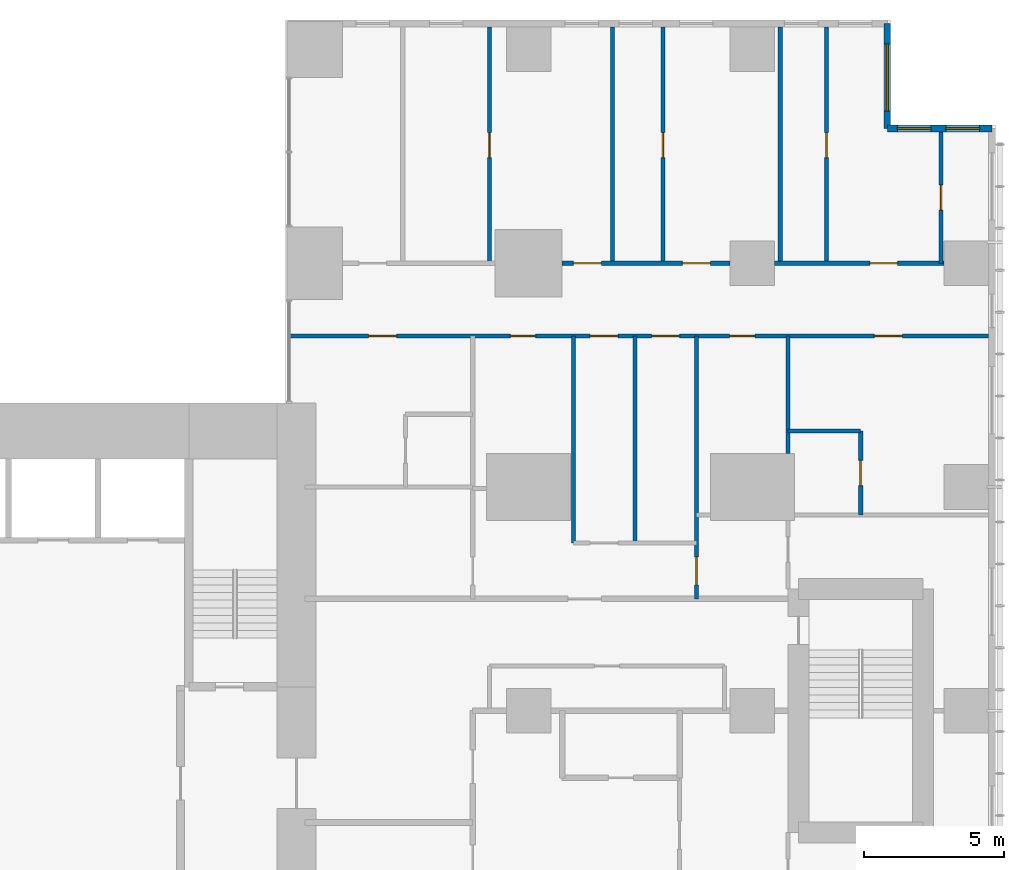
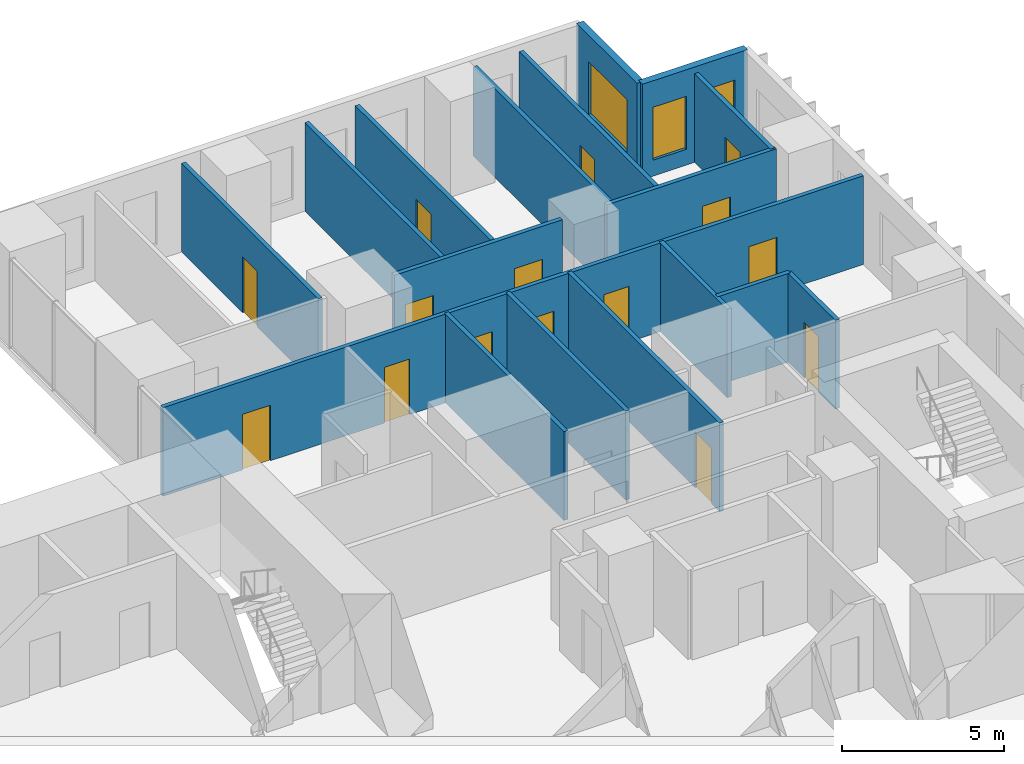
# One storey, part 12 of 14: 17 walls, 15 doors, 3 windows, 18 openings.
"""IFC4 building model written with IfcOpenShell, lengths in metres."""

from ifc_helpers import new_model, si_unit, direction, frame, frame_2d, origin, place, context, subcontext, project, spatial, rectangle, extrude, material, layer, layer_set, type_object, element, fill, save


model = new_model("IFC4")

# Units and contexts
model_context = context("Model", 3, precision=1e-05, world=origin(), true_north=direction((0.0, 1.0)))
body_context = subcontext(model_context, "Body", "Model", "MODEL_VIEW")
ifc_project = project(units=[si_unit("LENGTHUNIT", "METRE"), si_unit("AREAUNIT", "SQUARE_METRE"), si_unit("VOLUMEUNIT", "CUBIC_METRE"), si_unit("PLANEANGLEUNIT", "RADIAN"), si_unit("MASSUNIT", "GRAM", prefix="KILO")], contexts=[model_context])

# Site, building, storey
site_placement = place(None, origin())
site = spatial("IfcSite", under=ifc_project, at=site_placement, CompositionType="ELEMENT")
building_placement = place(site_placement, origin())
building = spatial("IfcBuilding", under=site, at=building_placement, Name="Cleftline Residences", CompositionType="ELEMENT")
storey_placement = place(building_placement, frame((0.0, 0.0, 230.39990234375)))
storey = spatial("IfcBuildingStorey", under=building, at=storey_placement, Name="L60", CompositionType="ELEMENT", Elevation=230.39990234375)

# Wall, openings, windows
ifc_material_1 = material(Name="Rendered reinforced concrete blockwork", Category="masonry")
ifc_layer_1 = layer(ifc_material_1, 0.25)
ifc_layer_set_1 = layer_set([ifc_layer_1], Name="EXTERNAL WALL 250")
wall_type_1 = type_object("IfcWallType", Name="EXTERNAL WALL 250", PredefinedType="SOLIDWALL", material=ifc_layer_set_1)
wall_1_placement = place(storey_placement, frame((66.574951171875, 44.824951171875, 0.0), z_axis=(0.0, 0.0, 1.0), x_axis=(-1.0, 0.0, 0.0)))
wall_1 = element("IfcWall", 1, at=wall_1_placement, inside=storey, type_object=wall_type_1, Name="External wall", PredefinedType="SOLIDWALL", context=body_context, shape_type="SweptSolid", body=[
    extrude(rectangle(XDim=3.75, YDim=0.25, at=frame_2d((1.875, 0.0))), origin(), (0.0, 0.0, 1.0), 3.60009765625),
])
opening_1_placement = place(wall_1_placement, frame((0.449951171875, 0.0, 0.60009765625)))
opening_1 = element("IfcOpeningElement", 2, at=opening_1_placement, cuts=wall_1, Name="Opening W8", PredefinedType="OPENING", context=body_context, shape_type="SweptSolid", body=[
    extrude(rectangle(XDim=1.199951171875, YDim=2.0, at=frame_2d((0.60009765625, 1.0))), frame((0.0, 0.135009765625, 0.0), z_axis=(0.0, -1.0, 0.0), x_axis=(1.0, 0.0, 0.0)), (0.0, 0.0, 1.0), 0.27001953125),
])
opening_2_placement = place(wall_1_placement, frame((2.1875, 0.0, 0.60009765625)))
opening_2 = element("IfcOpeningElement", 3, at=opening_2_placement, cuts=wall_1, Name="Opening W8", PredefinedType="OPENING", context=body_context, shape_type="SweptSolid", body=[
    extrude(rectangle(XDim=1.199951171875, YDim=2.0, at=frame_2d((0.60009765625, 1.0))), frame((0.0, 0.135009765625, 0.0), z_axis=(0.0, -1.0, 0.0), x_axis=(1.0, 0.0, 0.0)), (0.0, 0.0, 1.0), 0.27001953125),
])
ifc_material_2 = material(Name="Aluminium frame, clear double glazing", Category="aluminium")
window_type_1 = type_object("IfcWindowType", Name="WINDOW 1200X2000", PartitioningType="DOUBLE_PANEL_VERTICAL", PredefinedType="WINDOW", material=ifc_material_2)
window_1_placement = place(opening_1_placement, origin())
window_1 = element("IfcWindow", 4, at=window_1_placement, inside=storey, type_object=window_type_1, Name="Window", OverallHeight=2.0, OverallWidth=1.199951171875, PartitioningType="SINGLE_PANEL", PredefinedType="WINDOW", context=body_context, shape_type="SweptSolid", body=[
    extrude(rectangle(XDim=1.199951171875, YDim=2.0, at=frame_2d((0.60009765625, 1.0))), frame((0.0, 0.030029296875, 0.0), z_axis=(0.0, -1.0, 0.0), x_axis=(1.0, 0.0, 0.0)), (0.0, 0.0, 1.0), 0.06005859375),
])
fill(opening_1, window_1)
window_2_placement = place(opening_2_placement, origin())
window_2 = element("IfcWindow", 5, at=window_2_placement, inside=storey, type_object=window_type_1, Name="Window", OverallHeight=2.0, OverallWidth=1.199951171875, PartitioningType="SINGLE_PANEL", PredefinedType="WINDOW", context=body_context, shape_type="SweptSolid", body=[
    extrude(rectangle(XDim=1.199951171875, YDim=2.0, at=frame_2d((0.60009765625, 1.0))), frame((0.0, 0.030029296875, 0.0), z_axis=(0.0, -1.0, 0.0), x_axis=(1.0, 0.0, 0.0)), (0.0, 0.0, 1.0), 0.06005859375),
])
fill(opening_2, window_2)

# Wall, opening, window
wall_2_placement = place(storey_placement, frame((62.824951171875, 44.824951171875, 0.0), z_axis=(0.0, 0.0, 1.0), x_axis=(0.0, 1.0, 0.0)))
wall_2 = element("IfcWall", 6, at=wall_2_placement, inside=storey, type_object=wall_type_1, Name="External wall", PredefinedType="SOLIDWALL", context=body_context, shape_type="SweptSolid", body=[
    extrude(rectangle(XDim=3.75, YDim=0.25, at=frame_2d((1.875, 0.0))), origin(), (0.0, 0.0, 1.0), 3.60009765625),
])
opening_3_placement = place(wall_2_placement, frame((0.612548828125, 0.0, 0.60009765625)))
opening_3 = element("IfcOpeningElement", 7, at=opening_3_placement, cuts=wall_2, Name="Opening W6", PredefinedType="OPENING", context=body_context, shape_type="SweptSolid", body=[
    extrude(rectangle(XDim=2.39990234375, YDim=2.0, at=frame_2d((1.199951171875, 1.0))), frame((0.0, 0.135009765625, 0.0), z_axis=(0.0, -1.0, 0.0), x_axis=(1.0, 0.0, 0.0)), (0.0, 0.0, 1.0), 0.27001953125),
])
ifc_material_3 = material(Name="Aluminium frame, clear double glazing", Category="aluminium")
window_type_2 = type_object("IfcWindowType", Name="WINDOW 2400X2000", PartitioningType="DOUBLE_PANEL_VERTICAL", PredefinedType="WINDOW", material=ifc_material_3)
window_3_placement = place(opening_3_placement, origin())
window_3 = element("IfcWindow", 8, at=window_3_placement, inside=storey, type_object=window_type_2, Name="Window", OverallHeight=2.0, OverallWidth=2.39990234375, PartitioningType="SINGLE_PANEL", PredefinedType="WINDOW", context=body_context, shape_type="SweptSolid", body=[
    extrude(rectangle(XDim=2.39990234375, YDim=2.0, at=frame_2d((1.199951171875, 1.0))), frame((0.0, 0.030029296875, 0.0), z_axis=(0.0, -1.0, 0.0), x_axis=(1.0, 0.0, 0.0)), (0.0, 0.0, 1.0), 0.06005859375),
])
fill(opening_3, window_3)

# Wall
ifc_material_4 = material(Name="Gypsum board on steel studs", Category="steel")
ifc_layer_2 = layer(ifc_material_4, 0.14990234375)
ifc_layer_set_2 = layer_set([ifc_layer_2], Name="PARTITION 150")
wall_type_2 = type_object("IfcWallType", Name="PARTITION 150", PredefinedType="PARTITIONING", material=ifc_layer_set_2)
wall_3_placement = place(storey_placement, frame((59.27490234375, 34.0, 0.0), z_axis=(0.0, 0.0, 1.0), x_axis=(1.0, 0.0, 0.0)))
element("IfcWall", 9, at=wall_3_placement, inside=storey, type_object=wall_type_2, Name="Partition", PredefinedType="PARTITIONING", context=body_context, shape_type="SweptSolid", body=[
    extrude(rectangle(XDim=2.60009765625, YDim=0.14990234375, at=frame_2d((1.300048828125, 0.0))), origin(), (0.0, 0.0, 1.0), 3.35009765625),
])

# Wall, openings, doors
wall_4_placement = place(storey_placement, frame((41.43896484375, 37.39990234375, 0.0), z_axis=(0.0, 0.0, 1.0), x_axis=(1.0, 0.0, 0.0)))
wall_4 = element("IfcWall", 10, at=wall_4_placement, inside=storey, type_object=wall_type_2, Name="Partition", PredefinedType="PARTITIONING", context=body_context, shape_type="SweptSolid", body=[
    extrude(rectangle(XDim=25.010986328125, YDim=0.14990234375, at=frame_2d((12.50537109375, 0.0))), origin(), (0.0, 0.0, 1.0), 3.35009765625),
])
opening_4_placement = place(wall_4_placement, frame((10.760986328125, 0.0, 0.0)))
opening_4 = element("IfcOpeningElement", 11, at=opening_4_placement, cuts=wall_4, Name="Opening D2", PredefinedType="OPENING", context=body_context, shape_type="SweptSolid", body=[
    extrude(rectangle(XDim=1.0, YDim=2.10009765625, at=frame_2d((0.5, 1.050048828125))), frame((0.0, 0.0849609375, 0.0), z_axis=(0.0, -1.0, 0.0), x_axis=(1.0, 0.0, 0.0)), (0.0, 0.0, 1.0), 0.169921875),
])
opening_5_placement = place(wall_4_placement, frame((20.923583984375, 0.0, 0.0)))
opening_5 = element("IfcOpeningElement", 12, at=opening_5_placement, cuts=wall_4, Name="Opening D2", PredefinedType="OPENING", context=body_context, shape_type="SweptSolid", body=[
    extrude(rectangle(XDim=1.0, YDim=2.10009765625, at=frame_2d((0.5, 1.050048828125))), frame((0.0, 0.0849609375, 0.0), z_axis=(0.0, -1.0, 0.0), x_axis=(1.0, 0.0, 0.0)), (0.0, 0.0, 1.0), 0.169921875),
])
opening_6_placement = place(wall_4_placement, frame((15.74853515625, 0.0, 0.0)))
opening_6 = element("IfcOpeningElement", 13, at=opening_6_placement, cuts=wall_4, Name="Opening D1", PredefinedType="OPENING", context=body_context, shape_type="SweptSolid", body=[
    extrude(rectangle(XDim=0.89990234375, YDim=2.10009765625, at=frame_2d((0.449951171875, 1.050048828125))), frame((0.0, 0.0849609375, 0.0), z_axis=(0.0, -1.0, 0.0), x_axis=(1.0, 0.0, 0.0)), (0.0, 0.0, 1.0), 0.169921875),
])
opening_7_placement = place(wall_4_placement, frame((12.9609375, 0.0, 0.0)))
opening_7 = element("IfcOpeningElement", 14, at=opening_7_placement, cuts=wall_4, Name="Opening D2", PredefinedType="OPENING", context=body_context, shape_type="SweptSolid", body=[
    extrude(rectangle(XDim=1.0, YDim=2.10009765625, at=frame_2d((0.5, 1.050048828125))), frame((0.0, 0.0849609375, 0.0), z_axis=(0.0, -1.0, 0.0), x_axis=(1.0, 0.0, 0.0)), (0.0, 0.0, 1.0), 0.169921875),
])
opening_8_placement = place(wall_4_placement, frame((7.910888671875, 0.0, 0.0)))
opening_8 = element("IfcOpeningElement", 15, at=opening_8_placement, cuts=wall_4, Name="Opening D1", PredefinedType="OPENING", context=body_context, shape_type="SweptSolid", body=[
    extrude(rectangle(XDim=0.89990234375, YDim=2.10009765625, at=frame_2d((0.449951171875, 1.050048828125))), frame((0.0, 0.0849609375, 0.0), z_axis=(0.0, -1.0, 0.0), x_axis=(1.0, 0.0, 0.0)), (0.0, 0.0, 1.0), 0.169921875),
])
opening_9_placement = place(wall_4_placement, frame((2.8359375, 0.0, 0.0)))
opening_9 = element("IfcOpeningElement", 16, at=opening_9_placement, cuts=wall_4, Name="Opening D2", PredefinedType="OPENING", context=body_context, shape_type="SweptSolid", body=[
    extrude(rectangle(XDim=1.0, YDim=2.10009765625, at=frame_2d((0.5, 1.050048828125))), frame((0.0, 0.0849609375, 0.0), z_axis=(0.0, -1.0, 0.0), x_axis=(1.0, 0.0, 0.0)), (0.0, 0.0, 1.0), 0.169921875),
])
ifc_material_5 = material(Name="Timber veneer on solid core", Category="wood")
door_type_1 = type_object("IfcDoorType", Name="DOOR 1000X2100", OperationType="SINGLE_SWING_LEFT", PredefinedType="DOOR", material=ifc_material_5)
door_1_placement = place(opening_4_placement, origin())
door_1 = element("IfcDoor", 17, at=door_1_placement, inside=storey, type_object=door_type_1, Name="Door to residence hall", OperationType="SINGLE_SWING_RIGHT", OverallHeight=2.10009765625, OverallWidth=1.0, PredefinedType="DOOR", context=body_context, shape_type="SweptSolid", body=[
    extrude(rectangle(XDim=1.0, YDim=2.10009765625, at=frame_2d((0.5, 1.050048828125))), frame((0.0, 0.02490234375, 0.0), z_axis=(0.0, -1.0, 0.0), x_axis=(1.0, 0.0, 0.0)), (0.0, 0.0, 1.0), 0.050048828125),
])
fill(opening_4, door_1)
door_2_placement = place(opening_5_placement, origin())
door_2 = element("IfcDoor", 18, at=door_2_placement, inside=storey, type_object=door_type_1, Name="Door to master bedroom", OperationType="SINGLE_SWING_LEFT", OverallHeight=2.10009765625, OverallWidth=1.0, PredefinedType="DOOR", context=body_context, shape_type="SweptSolid", body=[
    extrude(rectangle(XDim=1.0, YDim=2.10009765625, at=frame_2d((0.5, 1.050048828125))), frame((0.0, 0.02490234375, 0.0), z_axis=(0.0, -1.0, 0.0), x_axis=(1.0, 0.0, 0.0)), (0.0, 0.0, 1.0), 0.050048828125),
])
fill(opening_5, door_2)
door_3_placement = place(opening_7_placement, origin())
door_3 = element("IfcDoor", 19, at=door_3_placement, inside=storey, type_object=door_type_1, Name="Door to media room", OperationType="SINGLE_SWING_LEFT", OverallHeight=2.10009765625, OverallWidth=1.0, PredefinedType="DOOR", context=body_context, shape_type="SweptSolid", body=[
    extrude(rectangle(XDim=1.0, YDim=2.10009765625, at=frame_2d((0.5, 1.050048828125))), frame((0.0, 0.02490234375, 0.0), z_axis=(0.0, -1.0, 0.0), x_axis=(1.0, 0.0, 0.0)), (0.0, 0.0, 1.0), 0.050048828125),
])
fill(opening_7, door_3)
door_4_placement = place(opening_9_placement, origin())
door_4 = element("IfcDoor", 20, at=door_4_placement, inside=storey, type_object=door_type_1, Name="Door to bedroom 5", OperationType="SINGLE_SWING_RIGHT", OverallHeight=2.10009765625, OverallWidth=1.0, PredefinedType="DOOR", context=body_context, shape_type="SweptSolid", body=[
    extrude(rectangle(XDim=1.0, YDim=2.10009765625, at=frame_2d((0.5, 1.050048828125))), frame((0.0, 0.02490234375, 0.0), z_axis=(0.0, -1.0, 0.0), x_axis=(1.0, 0.0, 0.0)), (0.0, 0.0, 1.0), 0.050048828125),
])
fill(opening_9, door_4)
ifc_material_6 = material(Name="Timber veneer on solid core", Category="wood")
door_type_2 = type_object("IfcDoorType", Name="DOOR 900X2100", OperationType="SINGLE_SWING_LEFT", PredefinedType="DOOR", material=ifc_material_6)
door_5_placement = place(opening_6_placement, origin())
door_5 = element("IfcDoor", 21, at=door_5_placement, inside=storey, type_object=door_type_2, Name="Door to bedroom 2 bathroom", OperationType="SINGLE_SWING_LEFT", OverallHeight=2.10009765625, OverallWidth=0.89990234375, PredefinedType="DOOR", context=body_context, shape_type="SweptSolid", body=[
    extrude(rectangle(XDim=0.89990234375, YDim=2.10009765625, at=frame_2d((0.449951171875, 1.050048828125))), frame((0.0, 0.02490234375, 0.0), z_axis=(0.0, -1.0, 0.0), x_axis=(1.0, 0.0, 0.0)), (0.0, 0.0, 1.0), 0.050048828125),
])
fill(opening_6, door_5)
door_6_placement = place(opening_8_placement, origin())
door_6 = element("IfcDoor", 22, at=door_6_placement, inside=storey, type_object=door_type_2, Name="Door to linen store", OperationType="SINGLE_SWING_RIGHT", OverallHeight=2.10009765625, OverallWidth=0.89990234375, PredefinedType="DOOR", context=body_context, shape_type="SweptSolid", body=[
    extrude(rectangle(XDim=0.89990234375, YDim=2.10009765625, at=frame_2d((0.449951171875, 1.050048828125))), frame((0.0, 0.02490234375, 0.0), z_axis=(0.0, -1.0, 0.0), x_axis=(1.0, 0.0, 0.0)), (0.0, 0.0, 1.0), 0.050048828125),
])
fill(opening_8, door_6)

wall_5_placement = place(storey_placement, frame((51.199951171875, 40.0, 0.0), z_axis=(0.0, 0.0, 1.0), x_axis=(1.0, 0.0, 0.0)))
wall_5 = element("IfcWall", 23, at=wall_5_placement, inside=storey, type_object=wall_type_2, Name="Partition", PredefinedType="PARTITIONING", context=body_context, shape_type="SweptSolid", body=[
    extrude(rectangle(XDim=6.0, YDim=0.14990234375, at=frame_2d((3.0, 0.0))), origin(), (0.0, 0.0, 1.0), 3.35009765625),
])
opening_10_placement = place(wall_5_placement, frame((4.300048828125, 0.0, 0.0)))
opening_10 = element("IfcOpeningElement", 24, at=opening_10_placement, cuts=wall_5, Name="Opening D2", PredefinedType="OPENING", context=body_context, shape_type="SweptSolid", body=[
    extrude(rectangle(XDim=1.0, YDim=2.10009765625, at=frame_2d((0.5, 1.050048828125))), frame((0.0, 0.0849609375, 0.0), z_axis=(0.0, -1.0, 0.0), x_axis=(1.0, 0.0, 0.0)), (0.0, 0.0, 1.0), 0.169921875),
])
opening_11_placement = place(wall_5_placement, frame((0.39990234375, 0.0, 0.0)))
opening_11 = element("IfcOpeningElement", 25, at=opening_11_placement, cuts=wall_5, Name="Opening D2", PredefinedType="OPENING", context=body_context, shape_type="SweptSolid", body=[
    extrude(rectangle(XDim=1.0, YDim=2.10009765625, at=frame_2d((0.5, 1.050048828125))), frame((0.0, 0.0849609375, 0.0), z_axis=(0.0, -1.0, 0.0), x_axis=(1.0, 0.0, 0.0)), (0.0, 0.0, 1.0), 0.169921875),
])
door_7_placement = place(opening_10_placement, origin())
door_7 = element("IfcDoor", 26, at=door_7_placement, inside=storey, type_object=door_type_1, Name="Door to bedroom 3", OperationType="SINGLE_SWING_LEFT", OverallHeight=2.10009765625, OverallWidth=1.0, PredefinedType="DOOR", context=body_context, shape_type="SweptSolid", body=[
    extrude(rectangle(XDim=1.0, YDim=2.10009765625, at=frame_2d((0.5, 1.050048828125))), frame((0.0, 0.02490234375, 0.0), z_axis=(0.0, -1.0, 0.0), x_axis=(1.0, 0.0, 0.0)), (0.0, 0.0, 1.0), 0.050048828125),
])
fill(opening_10, door_7)
door_8_placement = place(opening_11_placement, origin())
door_8 = element("IfcDoor", 27, at=door_8_placement, inside=storey, type_object=door_type_1, Name="Door to bedroom 4", OperationType="SINGLE_SWING_RIGHT", OverallHeight=2.10009765625, OverallWidth=1.0, PredefinedType="DOOR", context=body_context, shape_type="SweptSolid", body=[
    extrude(rectangle(XDim=1.0, YDim=2.10009765625, at=frame_2d((0.5, 1.050048828125))), frame((0.0, 0.02490234375, 0.0), z_axis=(0.0, -1.0, 0.0), x_axis=(1.0, 0.0, 0.0)), (0.0, 0.0, 1.0), 0.050048828125),
])
fill(opening_11, door_8)

# Wall, opening, door
wall_6_placement = place(storey_placement, frame((58.800048828125, 40.0, 0.0), z_axis=(0.0, 0.0, 1.0), x_axis=(1.0, 0.0, 0.0)))
wall_6 = element("IfcWall", 28, at=wall_6_placement, inside=storey, type_object=wall_type_2, Name="Partition", PredefinedType="PARTITIONING", context=body_context, shape_type="SweptSolid", body=[
    extrude(rectangle(XDim=6.050048828125, YDim=0.14990234375, at=frame_2d((3.02490234375, 0.0))), origin(), (0.0, 0.0, 1.0), 3.35009765625),
])
opening_12_placement = place(wall_6_placement, frame((3.39990234375, 0.0, 0.0)))
opening_12 = element("IfcOpeningElement", 29, at=opening_12_placement, cuts=wall_6, Name="Opening D2", PredefinedType="OPENING", context=body_context, shape_type="SweptSolid", body=[
    extrude(rectangle(XDim=1.0, YDim=2.10009765625, at=frame_2d((0.5, 1.050048828125))), frame((0.0, 0.0849609375, 0.0), z_axis=(0.0, -1.0, 0.0), x_axis=(1.0, 0.0, 0.0)), (0.0, 0.0, 1.0), 0.169921875),
])
door_9_placement = place(opening_12_placement, origin())
door_9 = element("IfcDoor", 30, at=door_9_placement, inside=storey, type_object=door_type_1, Name="Door to bedroom 2", OperationType="SINGLE_SWING_LEFT", OverallHeight=2.10009765625, OverallWidth=1.0, PredefinedType="DOOR", context=body_context, shape_type="SweptSolid", body=[
    extrude(rectangle(XDim=1.0, YDim=2.10009765625, at=frame_2d((0.5, 1.050048828125))), frame((0.0, 0.02490234375, 0.0), z_axis=(0.0, -1.0, 0.0), x_axis=(1.0, 0.0, 0.0)), (0.0, 0.0, 1.0), 0.050048828125),
])
fill(opening_12, door_9)

wall_7_placement = place(storey_placement, frame((48.60009765625, 40.0, 0.0), z_axis=(0.0, 0.0, 1.0), x_axis=(0.0, 1.0, 0.0)))
wall_7 = element("IfcWall", 31, at=wall_7_placement, inside=storey, type_object=wall_type_2, Name="Partition", PredefinedType="PARTITIONING", context=body_context, shape_type="SweptSolid", body=[
    extrude(rectangle(XDim=8.449951171875, YDim=0.14990234375, at=frame_2d((4.22509765625, 0.0))), origin(), (0.0, 0.0, 1.0), 3.35009765625),
])
opening_13_placement = place(wall_7_placement, frame((3.77490234375, 0.0, 0.0)))
opening_13 = element("IfcOpeningElement", 32, at=opening_13_placement, cuts=wall_7, Name="Opening D1", PredefinedType="OPENING", context=body_context, shape_type="SweptSolid", body=[
    extrude(rectangle(XDim=0.89990234375, YDim=2.10009765625, at=frame_2d((0.449951171875, 1.050048828125))), frame((0.0, 0.0849609375, 0.0), z_axis=(0.0, -1.0, 0.0), x_axis=(1.0, 0.0, 0.0)), (0.0, 0.0, 1.0), 0.169921875),
])
door_10_placement = place(opening_13_placement, origin())
door_10 = element("IfcDoor", 33, at=door_10_placement, inside=storey, type_object=door_type_2, Name="Door to en-suite bathroom 4", OperationType="SINGLE_SWING_LEFT", OverallHeight=2.10009765625, OverallWidth=0.89990234375, PredefinedType="DOOR", context=body_context, shape_type="SweptSolid", body=[
    extrude(rectangle(XDim=0.89990234375, YDim=2.10009765625, at=frame_2d((0.449951171875, 1.050048828125))), frame((0.0, 0.02490234375, 0.0), z_axis=(0.0, -1.0, 0.0), x_axis=(1.0, 0.0, 0.0)), (0.0, 0.0, 1.0), 0.050048828125),
])
fill(opening_13, door_10)

# Walls
wall_8_placement = place(storey_placement, frame((51.60009765625, 30.0, 0.0), z_axis=(0.0, 0.0, 1.0), x_axis=(0.0, 1.0, 0.0)))
element("IfcWall", 34, at=wall_8_placement, inside=storey, type_object=wall_type_2, Name="Partition", PredefinedType="PARTITIONING", context=body_context, shape_type="SweptSolid", body=[
    extrude(rectangle(XDim=7.39990234375, YDim=0.14990234375, at=frame_2d((3.699951171875, 0.0))), origin(), (0.0, 0.0, 1.0), 3.35009765625),
])
wall_9_placement = place(storey_placement, frame((53.0, 40.0, 0.0), z_axis=(0.0, 0.0, 1.0), x_axis=(0.0, 1.0, 0.0)))
element("IfcWall", 35, at=wall_9_placement, inside=storey, type_object=wall_type_2, Name="Partition", PredefinedType="PARTITIONING", context=body_context, shape_type="SweptSolid", body=[
    extrude(rectangle(XDim=8.449951171875, YDim=0.14990234375, at=frame_2d((4.22509765625, 0.0))), origin(), (0.0, 0.0, 1.0), 3.35009765625),
])
wall_10_placement = place(storey_placement, frame((53.800048828125, 30.0, 0.0), z_axis=(0.0, 0.0, 1.0), x_axis=(0.0, 1.0, 0.0)))
element("IfcWall", 36, at=wall_10_placement, inside=storey, type_object=wall_type_2, Name="Partition", PredefinedType="PARTITIONING", context=body_context, shape_type="SweptSolid", body=[
    extrude(rectangle(XDim=7.39990234375, YDim=0.14990234375, at=frame_2d((3.699951171875, 0.0))), origin(), (0.0, 0.0, 1.0), 3.35009765625),
])

# Wall, opening, door
wall_11_placement = place(storey_placement, frame((54.800048828125, 40.0, 0.0), z_axis=(0.0, 0.0, 1.0), x_axis=(0.0, 1.0, 0.0)))
wall_11 = element("IfcWall", 37, at=wall_11_placement, inside=storey, type_object=wall_type_2, Name="Partition", PredefinedType="PARTITIONING", context=body_context, shape_type="SweptSolid", body=[
    extrude(rectangle(XDim=8.449951171875, YDim=0.14990234375, at=frame_2d((4.22509765625, 0.0))), origin(), (0.0, 0.0, 1.0), 3.35009765625),
])
opening_14_placement = place(wall_11_placement, frame((3.77490234375, 0.0, 0.0)))
opening_14 = element("IfcOpeningElement", 38, at=opening_14_placement, cuts=wall_11, Name="Opening D1", PredefinedType="OPENING", context=body_context, shape_type="SweptSolid", body=[
    extrude(rectangle(XDim=0.89990234375, YDim=2.10009765625, at=frame_2d((0.449951171875, 1.050048828125))), frame((0.0, 0.0849609375, 0.0), z_axis=(0.0, -1.0, 0.0), x_axis=(1.0, 0.0, 0.0)), (0.0, 0.0, 1.0), 0.169921875),
])
door_11_placement = place(opening_14_placement, origin())
door_11 = element("IfcDoor", 39, at=door_11_placement, inside=storey, type_object=door_type_2, Name="Door to en-suite bathroom 3", OperationType="SINGLE_SWING_LEFT", OverallHeight=2.10009765625, OverallWidth=0.89990234375, PredefinedType="DOOR", context=body_context, shape_type="SweptSolid", body=[
    extrude(rectangle(XDim=0.89990234375, YDim=2.10009765625, at=frame_2d((0.449951171875, 1.050048828125))), frame((0.0, 0.02490234375, 0.0), z_axis=(0.0, -1.0, 0.0), x_axis=(1.0, 0.0, 0.0)), (0.0, 0.0, 1.0), 0.050048828125),
])
fill(opening_14, door_11)

wall_12_placement = place(storey_placement, frame((56.0, 28.0, 0.0), z_axis=(0.0, 0.0, 1.0), x_axis=(0.0, 1.0, 0.0)))
wall_12 = element("IfcWall", 40, at=wall_12_placement, inside=storey, type_object=wall_type_2, Name="Partition", PredefinedType="PARTITIONING", context=body_context, shape_type="SweptSolid", body=[
    extrude(rectangle(XDim=9.39990234375, YDim=0.14990234375, at=frame_2d((4.699951171875, 0.0))), origin(), (0.0, 0.0, 1.0), 3.35009765625),
])
opening_15_placement = place(wall_12_placement, frame((0.5, 0.0, 0.0)))
opening_15 = element("IfcOpeningElement", 41, at=opening_15_placement, cuts=wall_12, Name="Opening D2F30", PredefinedType="OPENING", context=body_context, shape_type="SweptSolid", body=[
    extrude(rectangle(XDim=1.0, YDim=2.10009765625, at=frame_2d((0.5, 1.050048828125))), frame((0.0, 0.0849609375, 0.0), z_axis=(0.0, -1.0, 0.0), x_axis=(1.0, 0.0, 0.0)), (0.0, 0.0, 1.0), 0.169921875),
])
ifc_material_7 = material(Name="Timber veneer on solid core", Category="wood")
door_type_3 = type_object("IfcDoorType", Name="DOOR 1000X2100 EI 30", OperationType="SINGLE_SWING_LEFT", PredefinedType="DOOR", material=ifc_material_7)
door_12_placement = place(opening_15_placement, origin())
door_12 = element("IfcDoor", 42, at=door_12_placement, inside=storey, type_object=door_type_3, Name="Door to residence lobby (service)", OperationType="SINGLE_SWING_RIGHT", OverallHeight=2.10009765625, OverallWidth=1.0, PredefinedType="DOOR", context=body_context, shape_type="SweptSolid", body=[
    extrude(rectangle(XDim=1.0, YDim=2.10009765625, at=frame_2d((0.5, 1.050048828125))), frame((0.0, 0.02490234375, 0.0), z_axis=(0.0, -1.0, 0.0), x_axis=(1.0, 0.0, 0.0)), (0.0, 0.0, 1.0), 0.050048828125),
])
fill(opening_15, door_12)

# Walls
wall_13_placement = place(storey_placement, frame((59.0, 40.0, 0.0), z_axis=(0.0, 0.0, 1.0), x_axis=(0.0, 1.0, 0.0)))
element("IfcWall", 43, at=wall_13_placement, inside=storey, type_object=wall_type_2, Name="Partition", PredefinedType="PARTITIONING", context=body_context, shape_type="SweptSolid", body=[
    extrude(rectangle(XDim=8.449951171875, YDim=0.14990234375, at=frame_2d((4.22509765625, 0.0))), origin(), (0.0, 0.0, 1.0), 3.35009765625),
])
wall_14_placement = place(storey_placement, frame((59.27490234375, 33.199951171875, 0.0), z_axis=(0.0, 0.0, 1.0), x_axis=(0.0, 1.0, 0.0)))
element("IfcWall", 44, at=wall_14_placement, inside=storey, type_object=wall_type_2, Name="Partition", PredefinedType="PARTITIONING", context=body_context, shape_type="SweptSolid", body=[
    extrude(rectangle(XDim=4.199951171875, YDim=0.14990234375, at=frame_2d((2.10009765625, 0.0))), origin(), (0.0, 0.0, 1.0), 3.35009765625),
])

# Wall, opening, door
wall_15_placement = place(storey_placement, frame((60.64990234375, 40.0, 0.0), z_axis=(0.0, 0.0, 1.0), x_axis=(0.0, 1.0, 0.0)))
wall_15 = element("IfcWall", 45, at=wall_15_placement, inside=storey, type_object=wall_type_2, Name="Partition", PredefinedType="PARTITIONING", context=body_context, shape_type="SweptSolid", body=[
    extrude(rectangle(XDim=8.449951171875, YDim=0.14990234375, at=frame_2d((4.22509765625, 0.0))), origin(), (0.0, 0.0, 1.0), 3.35009765625),
])
opening_16_placement = place(wall_15_placement, frame((3.77490234375, 0.0, 0.0)))
opening_16 = element("IfcOpeningElement", 46, at=opening_16_placement, cuts=wall_15, Name="Opening D1", PredefinedType="OPENING", context=body_context, shape_type="SweptSolid", body=[
    extrude(rectangle(XDim=0.89990234375, YDim=2.10009765625, at=frame_2d((0.449951171875, 1.050048828125))), frame((0.0, 0.0849609375, 0.0), z_axis=(0.0, -1.0, 0.0), x_axis=(1.0, 0.0, 0.0)), (0.0, 0.0, 1.0), 0.169921875),
])
door_13_placement = place(opening_16_placement, origin())
door_13 = element("IfcDoor", 47, at=door_13_placement, inside=storey, type_object=door_type_2, Name="Door to walk-in wardrobe", OperationType="SINGLE_SWING_LEFT", OverallHeight=2.10009765625, OverallWidth=0.89990234375, PredefinedType="DOOR", context=body_context, shape_type="SweptSolid", body=[
    extrude(rectangle(XDim=0.89990234375, YDim=2.10009765625, at=frame_2d((0.449951171875, 1.050048828125))), frame((0.0, 0.02490234375, 0.0), z_axis=(0.0, -1.0, 0.0), x_axis=(1.0, 0.0, 0.0)), (0.0, 0.0, 1.0), 0.050048828125),
])
fill(opening_16, door_13)

wall_16_placement = place(storey_placement, frame((61.875, 31.0, 0.0), z_axis=(0.0, 0.0, 1.0), x_axis=(0.0, 1.0, 0.0)))
wall_16 = element("IfcWall", 48, at=wall_16_placement, inside=storey, type_object=wall_type_2, Name="Partition", PredefinedType="PARTITIONING", context=body_context, shape_type="SweptSolid", body=[
    extrude(rectangle(XDim=3.0, YDim=0.14990234375, at=frame_2d((1.5, 0.0))), origin(), (0.0, 0.0, 1.0), 3.35009765625),
])
opening_17_placement = place(wall_16_placement, frame((1.050048828125, 0.0, 0.0)))
opening_17 = element("IfcOpeningElement", 49, at=opening_17_placement, cuts=wall_16, Name="Opening D1", PredefinedType="OPENING", context=body_context, shape_type="SweptSolid", body=[
    extrude(rectangle(XDim=0.89990234375, YDim=2.10009765625, at=frame_2d((0.449951171875, 1.050048828125))), frame((0.0, 0.0849609375, 0.0), z_axis=(0.0, -1.0, 0.0), x_axis=(1.0, 0.0, 0.0)), (0.0, 0.0, 1.0), 0.169921875),
])
door_14_placement = place(opening_17_placement, origin())
door_14 = element("IfcDoor", 50, at=door_14_placement, inside=storey, type_object=door_type_2, Name="Door to master bathroom", OperationType="SINGLE_SWING_LEFT", OverallHeight=2.10009765625, OverallWidth=0.89990234375, PredefinedType="DOOR", context=body_context, shape_type="SweptSolid", body=[
    extrude(rectangle(XDim=0.89990234375, YDim=2.10009765625, at=frame_2d((0.449951171875, 1.050048828125))), frame((0.0, 0.02490234375, 0.0), z_axis=(0.0, -1.0, 0.0), x_axis=(1.0, 0.0, 0.0)), (0.0, 0.0, 1.0), 0.050048828125),
])
fill(opening_17, door_14)

wall_17_placement = place(storey_placement, frame((64.75, 40.0, 0.0), z_axis=(0.0, 0.0, 1.0), x_axis=(0.0, 1.0, 0.0)))
wall_17 = element("IfcWall", 51, at=wall_17_placement, inside=storey, type_object=wall_type_2, Name="Partition", PredefinedType="PARTITIONING", context=body_context, shape_type="SweptSolid", body=[
    extrude(rectangle(XDim=4.699951171875, YDim=0.14990234375, at=frame_2d((2.35009765625, 0.0))), origin(), (0.0, 0.0, 1.0), 3.35009765625),
])
opening_18_placement = place(wall_17_placement, frame((1.89990234375, 0.0, 0.0)))
opening_18 = element("IfcOpeningElement", 52, at=opening_18_placement, cuts=wall_17, Name="Opening D1", PredefinedType="OPENING", context=body_context, shape_type="SweptSolid", body=[
    extrude(rectangle(XDim=0.89990234375, YDim=2.10009765625, at=frame_2d((0.449951171875, 1.050048828125))), frame((0.0, 0.0849609375, 0.0), z_axis=(0.0, -1.0, 0.0), x_axis=(1.0, 0.0, 0.0)), (0.0, 0.0, 1.0), 0.169921875),
])
door_15_placement = place(opening_18_placement, origin())
door_15 = element("IfcDoor", 53, at=door_15_placement, inside=storey, type_object=door_type_2, Name="Door to music room", OperationType="SINGLE_SWING_LEFT", OverallHeight=2.10009765625, OverallWidth=0.89990234375, PredefinedType="DOOR", context=body_context, shape_type="SweptSolid", body=[
    extrude(rectangle(XDim=0.89990234375, YDim=2.10009765625, at=frame_2d((0.449951171875, 1.050048828125))), frame((0.0, 0.02490234375, 0.0), z_axis=(0.0, -1.0, 0.0), x_axis=(1.0, 0.0, 0.0)), (0.0, 0.0, 1.0), 0.050048828125),
])
fill(opening_18, door_15)

save(model, "model.ifc")
